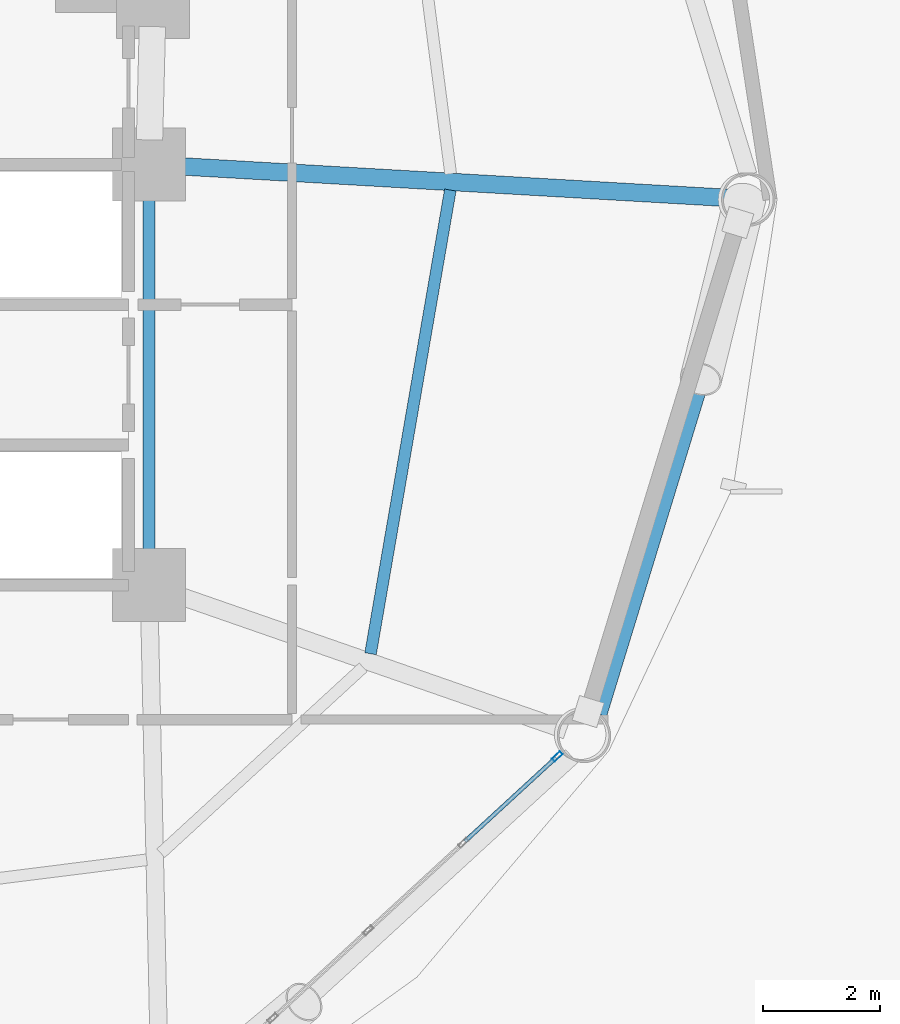
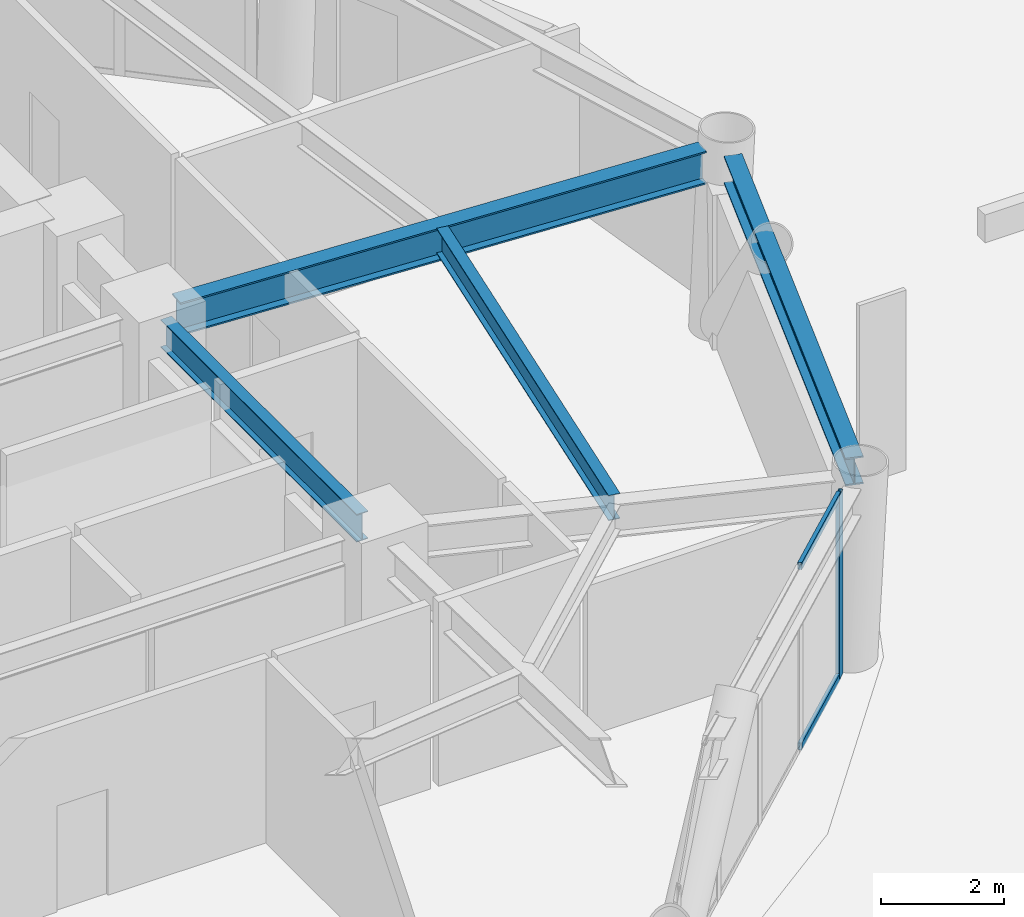
# One storey, part 12 of 24: 4 beams, 3 members, 1 element without a shape of its own.
"""IFC4 building model written with IfcOpenShell, lengths in metres."""

from ifc_helpers import new_model, si_unit, direction, frame, origin, origin_2d, place, context, subcontext, project, spatial, hollow_rectangle, i_section, extrude, material, layer, layer_set, material_profile, profile_set, type_object, element, aggregate, save


model = new_model("IFC4")

# Units and contexts
model_context = context("Model", 3, precision=1e-05, world=origin(), true_north=direction((0.0, 1.0)))
body_context = subcontext(model_context, "Body", "Model", "MODEL_VIEW")
ifc_project = project(units=[si_unit("LENGTHUNIT", "METRE"), si_unit("AREAUNIT", "SQUARE_METRE"), si_unit("VOLUMEUNIT", "CUBIC_METRE"), si_unit("PLANEANGLEUNIT", "RADIAN"), si_unit("MASSUNIT", "GRAM", prefix="KILO")], contexts=[model_context])

# Site, building, storey
site_placement = place(None, origin())
site = spatial("IfcSite", under=ifc_project, at=site_placement, CompositionType="ELEMENT")
building_placement = place(site_placement, origin())
building = spatial("IfcBuilding", under=site, at=building_placement, Name="Varnakorn Sky Granary", CompositionType="ELEMENT")
storey_placement = place(building_placement, frame((0.0, 0.0, 27.60009765625)))
storey = spatial("IfcBuildingStorey", under=building, at=storey_placement, Name="L06", CompositionType="ELEMENT", Elevation=27.60009765625)

# Beams
ifc_material_1 = material(Name="Steel S355JR", Category="steel")
ifc_material_profile_1 = material_profile(ifc_material_1, i_section(OverallWidth=0.2099609375, OverallDepth=0.550048828125, WebThickness=0.010986328125, FlangeThickness=0.01708984375, at=origin_2d()), Name="IPE 550")
ifc_profile_set_1 = profile_set([ifc_material_profile_1], Name="Steel S355JR")
beam_type_1 = type_object("IfcBeamType", Name="BM-JST-550", PredefinedType="JOIST", material=ifc_profile_set_1)
beam_1_placement = place(storey_placement, frame((8.35009765625, 0.179931640625, 3.364990234375), z_axis=(0.0, -1.0, 0.0), x_axis=(1.0, 0.0, 0.0)))
element("IfcBeam", 1, at=beam_1_placement, inside=storey, type_object=beam_type_1, Name="Core Spine Framing Beam 4 L06", PredefinedType="JOIST", context=body_context, shape_type="SweptSolid", body=[
    extrude(i_section(OverallWidth=0.2099609375, OverallDepth=0.550048828125, WebThickness=0.010986328125, FlangeThickness=0.01708984375, at=origin_2d()), origin(), (0.0, 0.0, 1.0), 6.35986328125),
])
ifc_material_profile_2 = material_profile(ifc_material_1, i_section(OverallWidth=0.300048828125, OverallDepth=0.64990234375, WebThickness=0.01611328125, FlangeThickness=0.031005859375, at=origin_2d()), Name="HE 650 B")
ifc_profile_set_2 = profile_set([ifc_material_profile_2], Name="Steel S355JR")
beam_type_2 = type_object("IfcBeamType", Name="BM-RAD-Z1", PredefinedType="BEAM", material=ifc_profile_set_2)
beam_2_placement = place(storey_placement, frame((8.769287109375, 0.57568359375, 3.31494140625), z_axis=(0.998336092155, -0.057663221395, 0.0), x_axis=(0.057663221395, 0.998336092155, 0.0)))
element("IfcBeam", 2, at=beam_2_placement, inside=storey, type_object=beam_type_2, Name="Radial Floor Girder RG01 L06", PredefinedType="BEAM", context=body_context, shape_type="SweptSolid", body=[
    extrude(i_section(OverallWidth=0.300048828125, OverallDepth=0.64990234375, WebThickness=0.01611328125, FlangeThickness=0.031005859375, at=origin_2d()), origin(), (0.0, 0.0, 1.0), 9.543212890625),
])
ifc_material_profile_3 = material_profile(ifc_material_1, i_section(OverallWidth=0.199951171875, OverallDepth=0.5, WebThickness=0.01025390625, FlangeThickness=0.01611328125, at=origin_2d()), Name="IPE 500")
ifc_profile_set_3 = profile_set([ifc_material_profile_3], Name="Steel S355JR")
beam_type_3 = type_object("IfcBeamType", Name="BM-SEC-Z1", PredefinedType="BEAM", material=ifc_profile_set_3)
beam_3_placement = place(storey_placement, frame((12.143310546875, -7.773681640625, 3.389892578125), z_axis=(0.169622645429, 0.985509085781, 0.0), x_axis=(-0.985509085781, 0.169622645429, 0.0)))
element("IfcBeam", 3, at=beam_3_placement, inside=storey, type_object=beam_type_3, Name="Secondary Floor Chord Beam MSB12 L06", PredefinedType="BEAM", context=body_context, shape_type="SweptSolid", body=[
    extrude(i_section(OverallWidth=0.199951171875, OverallDepth=0.5, WebThickness=0.01025390625, FlangeThickness=0.01611328125, at=origin_2d()), origin(), (0.0, 0.0, 1.0), 8.052978515625),
])
ifc_material_profile_4 = material_profile(ifc_material_1, i_section(OverallWidth=0.300048828125, OverallDepth=0.550048828125, WebThickness=0.014892578125, FlangeThickness=0.029052734375, at=origin_2d()), Name="HE 550 B")
ifc_profile_set_4 = profile_set([ifc_material_profile_4], Name="Steel S355JR")
beam_type_4 = type_object("IfcBeamType", Name="BM-SPD-Z1", PredefinedType="SPANDREL", material=ifc_profile_set_4)
beam_4_placement = place(storey_placement, frame((16.039306640625, -8.807861328125, 3.364990234375), z_axis=(0.292941262757, 0.9561304391, 0.0), x_axis=(-0.9561304391, 0.292941262757, 0.0)))
element("IfcBeam", 4, at=beam_4_placement, inside=storey, type_object=beam_type_4, Name="Perimeter Spandrel Ring Beam RB12 L06", PredefinedType="SPANDREL", context=body_context, shape_type="SweptSolid", body=[
    extrude(i_section(OverallWidth=0.300048828125, OverallDepth=0.550048828125, WebThickness=0.014892578125, FlangeThickness=0.029052734375, at=origin_2d()), origin(), (0.0, 0.0, 1.0), 8.77001953125),
])

# Curtain wall, members
ifc_material_2 = material(Name="Anodised Bronze Aluminium Alloy 6063-T6", Category="aluminium")
ifc_layer = layer(ifc_material_2, 0.18994140625, Name="Anodised Bronze Aluminium Alloy 6063-T6")
ifc_layer_set = layer_set([ifc_layer], Name="Anodised Bronze Aluminium Alloy 6063-T6")
curtain_wall_type = type_object("IfcCurtainWallType", Name="CW-FRM-1", PredefinedType="USERDEFINED", material=ifc_layer_set)
curtain_wall_placement = place(storey_placement, origin())
curtain_wall = element("IfcCurtainWall", 5, at=curtain_wall_placement, inside=storey, type_object=curtain_wall_type, Name="Unitised Curtain Wall CW3 CW-L06-B11", ObjectType="CURTAIN WALL", PredefinedType="USERDEFINED")
ifc_material_profile_5 = material_profile(ifc_material_2, hollow_rectangle(XDim=0.070068359375, YDim=0.18505859375, WallThickness=0.00390625, at=origin_2d()), Name="ALU MULL 70x185")
ifc_profile_set_5 = profile_set([ifc_material_profile_5], Name="Anodised Bronze Aluminium Alloy 6063-T6")
member_type_1 = type_object("IfcMemberType", Name="CW-FRM-1-MULL", PredefinedType="MULLION", material=ifc_profile_set_5)
member_1_placement = place(storey_placement, frame((15.340576171875, -9.53125, 0.0), z_axis=(0.0, 0.0, 1.0), x_axis=(0.676914362354, -0.7360617814, 0.0)))
member_1 = element("IfcMember", 6, at=member_1_placement, type_object=member_type_1, Name="CW3 mullion 1", PredefinedType="MULLION", context=body_context, shape_type="SweptSolid", body=[
    extrude(hollow_rectangle(XDim=0.070068359375, YDim=0.18505859375, WallThickness=0.00390625, at=origin_2d()), origin(), (0.0, 0.0, 1.0), 3.639892578125),
])
ifc_material_profile_6 = material_profile(ifc_material_2, hollow_rectangle(XDim=0.070068359375, YDim=0.139892578125, WallThickness=0.00341796875, at=origin_2d()), Name="ALU TRAN 70x140")
ifc_profile_set_6 = profile_set([ifc_material_profile_6], Name="Anodised Bronze Aluminium Alloy 6063-T6")
member_type_2 = type_object("IfcMemberType", Name="CW-FRM-1-TRAN", PredefinedType="USERDEFINED", material=ifc_profile_set_6)
member_2_placement = place(storey_placement, frame((15.31494140625, -9.554931640625, 0.034912109375), z_axis=(-0.736073807105, -0.676901285635, 0.0), x_axis=(0.676901285635, -0.736073807105, 0.0)))
member_2 = element("IfcMember", 7, at=member_2_placement, type_object=member_type_2, Name="CW3 transom 1.1", ObjectType="TRANSOM", PredefinedType="USERDEFINED", context=body_context, shape_type="SweptSolid", body=[
    extrude(hollow_rectangle(XDim=0.070068359375, YDim=0.139892578125, WallThickness=0.00341796875, at=origin_2d()), origin(), (0.0, 0.0, 1.0), 2.112548828125),
])
member_3_placement = place(storey_placement, frame((15.31494140625, -9.554931640625, 3.60498046875), z_axis=(-0.736073807105, -0.676901285635, 0.0), x_axis=(0.676901285635, -0.736073807105, 0.0)))
member_3 = element("IfcMember", 8, at=member_3_placement, type_object=member_type_2, Name="CW3 transom 1.2", ObjectType="TRANSOM", PredefinedType="USERDEFINED", context=body_context, shape_type="SweptSolid", body=[
    extrude(hollow_rectangle(XDim=0.070068359375, YDim=0.139892578125, WallThickness=0.00341796875, at=origin_2d()), origin(), (0.0, 0.0, 1.0), 2.112548828125),
])
aggregate(curtain_wall, [member_1, member_2, member_3])

save(model, "model.ifc")
